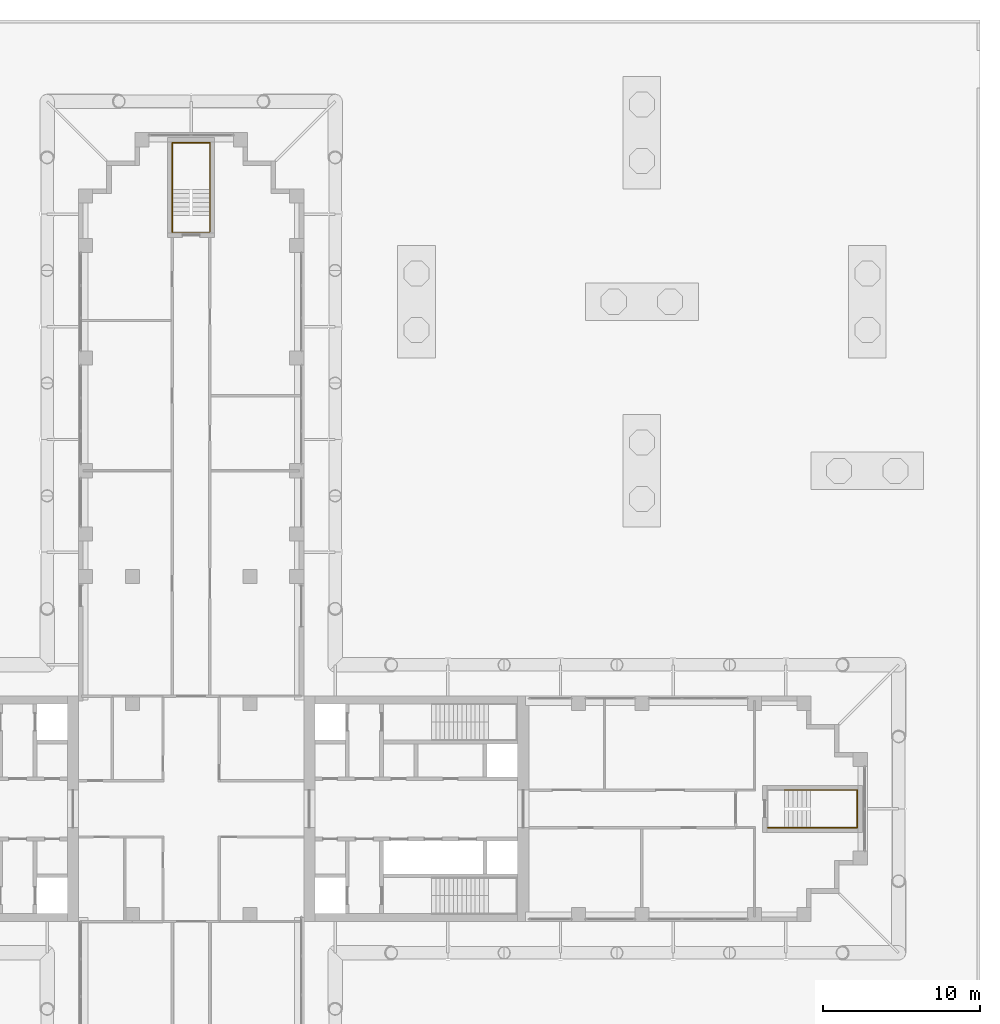
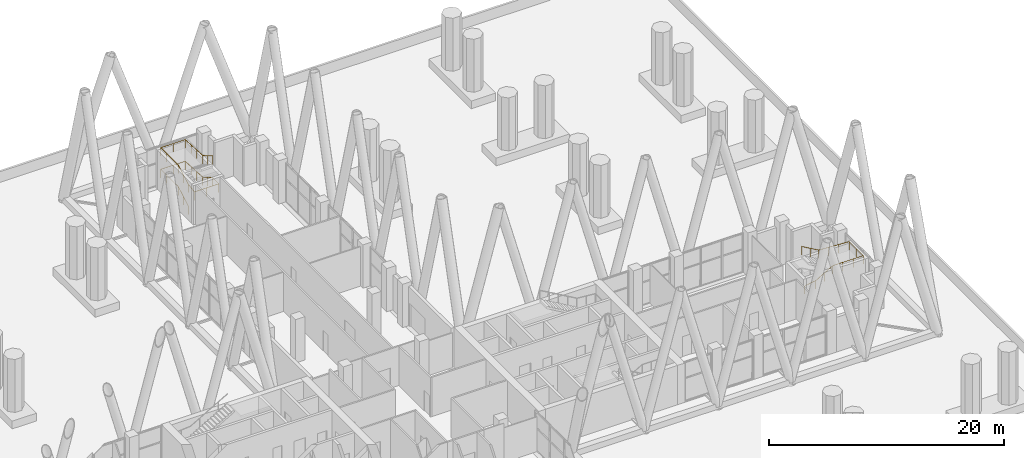
# One storey, part 29 of 31: 3 railings.
"""IFC4 building model written with IfcOpenShell, lengths in metres."""

from ifc_helpers import new_model, si_unit, direction, frame, origin, origin_2d, place, context, subcontext, project, spatial, circle, extrude, material, type_object, element, save


model = new_model("IFC4")

# Units and contexts
model_context = context("Model", 3, precision=1e-05, world=origin(), true_north=direction((0.0, 1.0)))
body_context = subcontext(model_context, "Body", "Model", "MODEL_VIEW")
ifc_project = project(units=[si_unit("LENGTHUNIT", "METRE"), si_unit("AREAUNIT", "SQUARE_METRE"), si_unit("VOLUMEUNIT", "CUBIC_METRE"), si_unit("PLANEANGLEUNIT", "RADIAN"), si_unit("MASSUNIT", "GRAM", prefix="KILO")], contexts=[model_context])

# Site, building, storey
site_placement = place(None, origin())
site = spatial("IfcSite", under=ifc_project, at=site_placement, CompositionType="ELEMENT")
building_placement = place(site_placement, origin())
building = spatial("IfcBuilding", under=site, at=building_placement, Name="Fustian Cross Tower", CompositionType="ELEMENT")
storey_placement = place(building_placement, frame((0.0, 0.0, 7.199951171875)))
storey = spatial("IfcBuildingStorey", under=building, at=storey_placement, Name="L01", CompositionType="ELEMENT", Elevation=7.199951171875)

# Railings
ifc_material = material(Name="Stainless steel", Category="steel")
railing_type = type_object("IfcRailingType", Name="STAIR HANDRAIL", PredefinedType="HANDRAIL", material=ifc_material)
railing_1_placement = place(storey_placement, frame((-1.199951171875, 37.89990234375, 0.16064453125)))
element("IfcRailing", 1, at=railing_1_placement, inside=storey, type_object=railing_type, Name="Stair ST5 handrail 1", PredefinedType="HANDRAIL", context=body_context, shape_type="SweptSolid", body=[
    extrude(circle(Radius=0.02490234375, at=origin_2d()), frame((0.0, 0.0, 0.875), z_axis=(0.0, 0.867295415836, 0.497793794326), x_axis=(-1.0, 0.0, 0.0)), (0.0, 0.0, 1.0), 1.937255859375),
    extrude(circle(Radius=0.02490234375, at=origin_2d()), frame((0.0, 1.68017578125, 1.83935546875), z_axis=(0.0, 1.0, 0.0), x_axis=(-1.0, 0.0, 0.0)), (0.0, 0.0, 1.0), 2.97998046875),
    extrude(circle(Radius=0.02490234375, at=origin_2d()), frame((0.0, 4.66015625, 1.83935546875), z_axis=(1.0, 0.0, 0.0), x_axis=(0.0, 1.0, 0.0)), (0.0, 0.0, 1.0), 2.39990234375),
    extrude(circle(Radius=0.02490234375, at=origin_2d()), frame((2.39990234375, 4.66015625, 1.83935546875), z_axis=(0.0, -0.998550127698, 0.053829754549), x_axis=(1.0, 0.0, 0.0)), (0.0, 0.0, 1.0), 2.984375),
    extrude(circle(Radius=0.02490234375, at=origin_2d()), frame((2.39990234375, 1.68017578125, 2.0), z_axis=(0.0, -0.867295415836, 0.497793794326), x_axis=(1.0, 0.0, 0.0)), (0.0, 0.0, 1.0), 1.937255859375),
    extrude(circle(Radius=0.02490234375, at=origin_2d()), frame((2.39990234375, 0.0, 2.96435546875), z_axis=(0.0, -1.0, 0.0), x_axis=(1.0, 0.0, 0.0)), (0.0, 0.0, 1.0), 1.059814453125),
    extrude(circle(Radius=0.02490234375, at=origin_2d()), frame((2.39990234375, -1.059814453125, 2.96435546875), z_axis=(-1.0, 0.0, 0.0), x_axis=(0.0, -1.0, 0.0)), (0.0, 0.0, 1.0), 2.39990234375),
    extrude(circle(Radius=0.02001953125, at=origin_2d()), origin(), (0.0, 0.0, 1.0), 0.849853515625),
    extrude(circle(Radius=0.02001953125, at=origin_2d()), frame((0.0, 0.840087890625, 0.482177734375)), (0.0, 0.0, 1.0), 0.849853515625),
    extrude(circle(Radius=0.02001953125, at=origin_2d()), frame((0.0, 1.68017578125, 0.96435546875)), (0.0, 0.0, 1.0), 0.849853515625),
    extrude(circle(Radius=0.02001953125, at=origin_2d()), frame((0.0, 2.673583984375, 0.96435546875)), (0.0, 0.0, 1.0), 0.849853515625),
    extrude(circle(Radius=0.02001953125, at=origin_2d()), frame((0.0, 3.666748046875, 0.96435546875)), (0.0, 0.0, 1.0), 0.849853515625),
    extrude(circle(Radius=0.02001953125, at=origin_2d()), frame((0.0, 4.66015625, 0.96435546875)), (0.0, 0.0, 1.0), 0.849853515625),
    extrude(circle(Radius=0.02001953125, at=origin_2d()), frame((1.199951171875, 4.66015625, 0.96435546875)), (0.0, 0.0, 1.0), 0.849853515625),
    extrude(circle(Radius=0.02001953125, at=origin_2d()), frame((2.39990234375, 4.66015625, 0.96435546875)), (0.0, 0.0, 1.0), 0.849853515625),
    extrude(circle(Radius=0.02001953125, at=origin_2d()), frame((2.39990234375, 3.666748046875, 1.017822265625)), (0.0, 0.0, 1.0), 0.849853515625),
    extrude(circle(Radius=0.02001953125, at=origin_2d()), frame((2.39990234375, 2.673583984375, 1.071533203125)), (0.0, 0.0, 1.0), 0.849853515625),
    extrude(circle(Radius=0.02001953125, at=origin_2d()), frame((2.39990234375, 1.68017578125, 1.125)), (0.0, 0.0, 1.0), 0.849853515625),
    extrude(circle(Radius=0.02001953125, at=origin_2d()), frame((2.39990234375, 0.840087890625, 1.607177734375)), (0.0, 0.0, 1.0), 0.849853515625),
    extrude(circle(Radius=0.02001953125, at=origin_2d()), frame((2.39990234375, 0.0, 2.08935546875)), (0.0, 0.0, 1.0), 0.849853515625),
    extrude(circle(Radius=0.02001953125, at=origin_2d()), frame((2.39990234375, -1.059814453125, 2.08935546875)), (0.0, 0.0, 1.0), 0.849853515625),
    extrude(circle(Radius=0.02001953125, at=origin_2d()), frame((1.199951171875, -1.059814453125, 2.08935546875)), (0.0, 0.0, 1.0), 0.849853515625),
    extrude(circle(Radius=0.02001953125, at=origin_2d()), frame((0.0, -1.059814453125, 2.08935546875)), (0.0, 0.0, 1.0), 0.849853515625),
])
railing_2_placement = place(storey_placement, frame((-1.199951171875, 36.840087890625, 2.25)))
element("IfcRailing", 2, at=railing_2_placement, inside=storey, type_object=railing_type, Name="Stair ST5 handrail 2", PredefinedType="HANDRAIL", context=body_context, shape_type="SweptSolid", body=[
    extrude(circle(Radius=0.02490234375, at=origin_2d()), frame((0.0, 0.0, 0.875), z_axis=(0.0, 0.988706302, 0.149866101524), x_axis=(-1.0, 0.0, 0.0)), (0.0, 0.0, 1.0), 1.072021484375),
    extrude(circle(Radius=0.02490234375, at=origin_2d()), frame((0.0, 1.059814453125, 1.03564453125), z_axis=(0.0, 0.867295415836, 0.497793794326), x_axis=(-1.0, 0.0, 0.0)), (0.0, 0.0, 1.0), 1.937255859375),
    extrude(circle(Radius=0.02490234375, at=origin_2d()), frame((0.0, 2.739990234375, 2.0), z_axis=(0.0, 1.0, 0.0), x_axis=(-1.0, 0.0, 0.0)), (0.0, 0.0, 1.0), 2.97998046875),
    extrude(circle(Radius=0.02490234375, at=origin_2d()), frame((0.0, 5.719970703125, 2.0), z_axis=(1.0, 0.0, 0.0), x_axis=(0.0, 1.0, 0.0)), (0.0, 0.0, 1.0), 2.39990234375),
    extrude(circle(Radius=0.02490234375, at=origin_2d()), frame((2.39990234375, 5.719970703125, 2.0), z_axis=(0.0, -0.998550127698, 0.053829754549), x_axis=(1.0, 0.0, 0.0)), (0.0, 0.0, 1.0), 2.984375),
    extrude(circle(Radius=0.02490234375, at=origin_2d()), frame((2.39990234375, 2.739990234375, 2.16064453125), z_axis=(0.0, -0.867295415836, 0.497793794326), x_axis=(1.0, 0.0, 0.0)), (0.0, 0.0, 1.0), 1.937255859375),
    extrude(circle(Radius=0.02001953125, at=origin_2d()), origin(), (0.0, 0.0, 1.0), 0.849853515625),
    extrude(circle(Radius=0.02001953125, at=origin_2d()), frame((0.0, 1.059814453125, 0.16064453125)), (0.0, 0.0, 1.0), 0.849853515625),
    extrude(circle(Radius=0.02001953125, at=origin_2d()), frame((0.0, 1.89990234375, 0.642822265625)), (0.0, 0.0, 1.0), 0.849853515625),
    extrude(circle(Radius=0.02001953125, at=origin_2d()), frame((0.0, 2.739990234375, 1.125)), (0.0, 0.0, 1.0), 0.849853515625),
    extrude(circle(Radius=0.02001953125, at=origin_2d()), frame((0.0, 3.7333984375, 1.125)), (0.0, 0.0, 1.0), 0.849853515625),
    extrude(circle(Radius=0.02001953125, at=origin_2d()), frame((0.0, 4.7265625, 1.125)), (0.0, 0.0, 1.0), 0.849853515625),
    extrude(circle(Radius=0.02001953125, at=origin_2d()), frame((0.0, 5.719970703125, 1.125)), (0.0, 0.0, 1.0), 0.849853515625),
    extrude(circle(Radius=0.02001953125, at=origin_2d()), frame((1.199951171875, 5.719970703125, 1.125)), (0.0, 0.0, 1.0), 0.849853515625),
    extrude(circle(Radius=0.02001953125, at=origin_2d()), frame((2.39990234375, 5.719970703125, 1.125)), (0.0, 0.0, 1.0), 0.849853515625),
    extrude(circle(Radius=0.02001953125, at=origin_2d()), frame((2.39990234375, 4.7265625, 1.178466796875)), (0.0, 0.0, 1.0), 0.849853515625),
    extrude(circle(Radius=0.02001953125, at=origin_2d()), frame((2.39990234375, 3.7333984375, 1.232177734375)), (0.0, 0.0, 1.0), 0.849853515625),
    extrude(circle(Radius=0.02001953125, at=origin_2d()), frame((2.39990234375, 2.739990234375, 1.28564453125)), (0.0, 0.0, 1.0), 0.849853515625),
    extrude(circle(Radius=0.02001953125, at=origin_2d()), frame((2.39990234375, 1.89990234375, 1.767822265625)), (0.0, 0.0, 1.0), 0.849853515625),
    extrude(circle(Radius=0.02001953125, at=origin_2d()), frame((2.39990234375, 1.059814453125, 2.25)), (0.0, 0.0, 1.0), 0.849853515625),
])
railing_3_placement = place(storey_placement, frame((36.840087890625, -1.199951171875, 2.25)))
element("IfcRailing", 3, at=railing_3_placement, inside=storey, type_object=railing_type, Name="Stair ST8 handrail 2", PredefinedType="HANDRAIL", context=body_context, shape_type="SweptSolid", body=[
    extrude(circle(Radius=0.02490234375, at=origin_2d()), frame((0.0, 0.0, 0.875), z_axis=(0.988706302, 0.0, 0.149866101524), x_axis=(0.0, 1.0, 0.0)), (0.0, 0.0, 1.0), 1.072021484375),
    extrude(circle(Radius=0.02490234375, at=origin_2d()), frame((1.059814453125, 0.0, 1.03564453125), z_axis=(0.867295415836, 0.0, 0.497793794326), x_axis=(0.0, 1.0, 0.0)), (0.0, 0.0, 1.0), 1.937255859375),
    extrude(circle(Radius=0.02490234375, at=origin_2d()), frame((2.739990234375, 0.0, 2.0), z_axis=(1.0, 0.0, 0.0), x_axis=(0.0, 1.0, 0.0)), (0.0, 0.0, 1.0), 2.97998046875),
    extrude(circle(Radius=0.02490234375, at=origin_2d()), frame((5.719970703125, 0.0, 2.0), z_axis=(0.0, 1.0, 0.0), x_axis=(-1.0, 0.0, 0.0)), (0.0, 0.0, 1.0), 2.39990234375),
    extrude(circle(Radius=0.02490234375, at=origin_2d()), frame((5.719970703125, 2.39990234375, 2.0), z_axis=(-0.998550127698, 0.0, 0.053829754549), x_axis=(0.0, -1.0, 0.0)), (0.0, 0.0, 1.0), 2.984375),
    extrude(circle(Radius=0.02490234375, at=origin_2d()), frame((2.739990234375, 2.39990234375, 2.16064453125), z_axis=(-0.867295415836, 0.0, 0.497793794326), x_axis=(0.0, -1.0, 0.0)), (0.0, 0.0, 1.0), 1.937255859375),
    extrude(circle(Radius=0.02001953125, at=origin_2d()), origin(), (0.0, 0.0, 1.0), 0.849853515625),
    extrude(circle(Radius=0.02001953125, at=origin_2d()), frame((1.059814453125, 0.0, 0.16064453125)), (0.0, 0.0, 1.0), 0.849853515625),
    extrude(circle(Radius=0.02001953125, at=origin_2d()), frame((1.89990234375, 0.0, 0.642822265625)), (0.0, 0.0, 1.0), 0.849853515625),
    extrude(circle(Radius=0.02001953125, at=origin_2d()), frame((2.739990234375, 0.0, 1.125)), (0.0, 0.0, 1.0), 0.849853515625),
    extrude(circle(Radius=0.02001953125, at=origin_2d()), frame((3.7333984375, 0.0, 1.125)), (0.0, 0.0, 1.0), 0.849853515625),
    extrude(circle(Radius=0.02001953125, at=origin_2d()), frame((4.7265625, 0.0, 1.125)), (0.0, 0.0, 1.0), 0.849853515625),
    extrude(circle(Radius=0.02001953125, at=origin_2d()), frame((5.719970703125, 0.0, 1.125)), (0.0, 0.0, 1.0), 0.849853515625),
    extrude(circle(Radius=0.02001953125, at=origin_2d()), frame((5.719970703125, 1.199951171875, 1.125)), (0.0, 0.0, 1.0), 0.849853515625),
    extrude(circle(Radius=0.02001953125, at=origin_2d()), frame((5.719970703125, 2.39990234375, 1.125)), (0.0, 0.0, 1.0), 0.849853515625),
    extrude(circle(Radius=0.02001953125, at=origin_2d()), frame((4.7265625, 2.39990234375, 1.178466796875)), (0.0, 0.0, 1.0), 0.849853515625),
    extrude(circle(Radius=0.02001953125, at=origin_2d()), frame((3.7333984375, 2.39990234375, 1.232177734375)), (0.0, 0.0, 1.0), 0.849853515625),
    extrude(circle(Radius=0.02001953125, at=origin_2d()), frame((2.739990234375, 2.39990234375, 1.28564453125)), (0.0, 0.0, 1.0), 0.849853515625),
    extrude(circle(Radius=0.02001953125, at=origin_2d()), frame((1.89990234375, 2.39990234375, 1.767822265625)), (0.0, 0.0, 1.0), 0.849853515625),
    extrude(circle(Radius=0.02001953125, at=origin_2d()), frame((1.059814453125, 2.39990234375, 2.25)), (0.0, 0.0, 1.0), 0.849853515625),
])

save(model, "model.ifc")
